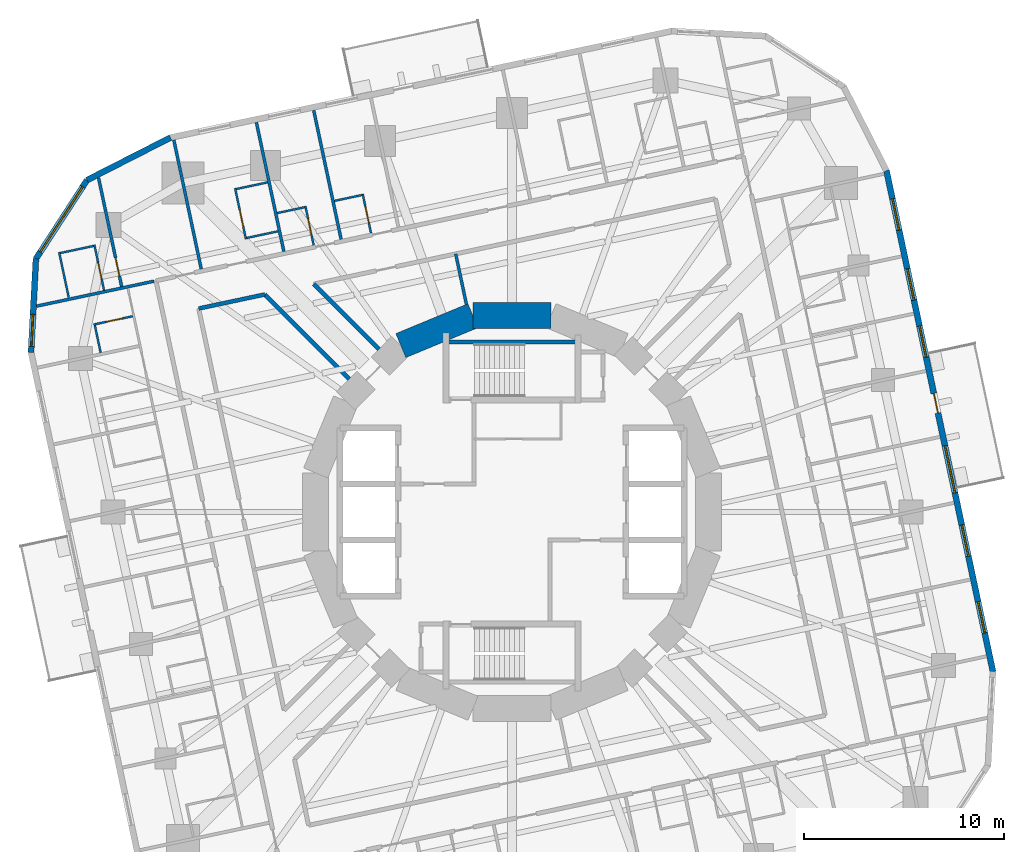
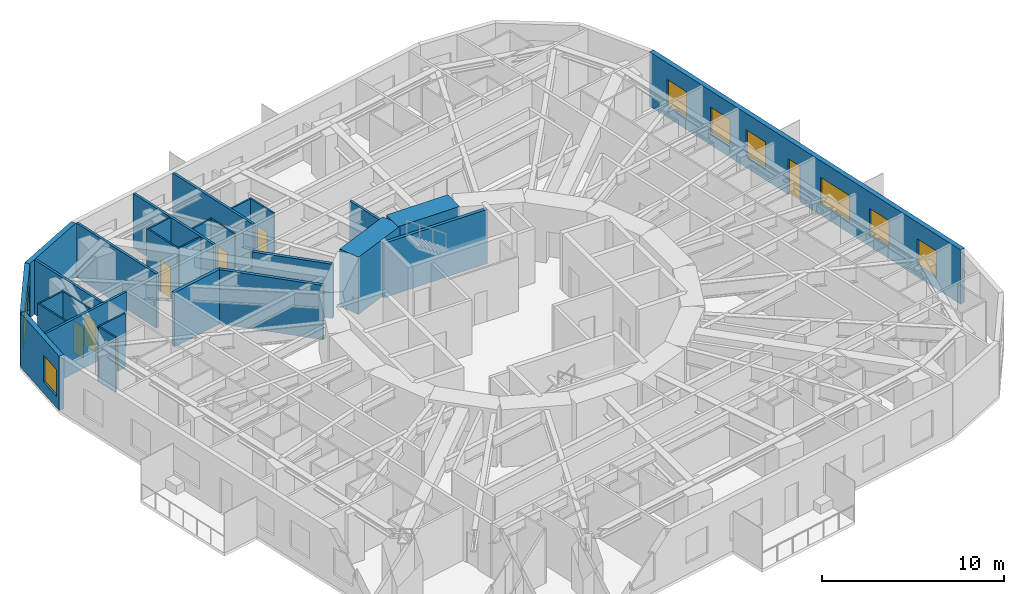
# One storey, part 9 of 13: 28 walls, 8 windows, 7 doors, 15 openings.
"""IFC4 building model written with IfcOpenShell, lengths in metres."""

from ifc_helpers import new_model, si_unit, direction, frame, frame_2d, origin, place, context, subcontext, project, spatial, rectangle, extrude, material, layer, layer_set, type_object, element, fill, save


model = new_model("IFC4")

# Units and contexts
model_context = context("Model", 3, precision=1e-05, world=origin(), true_north=direction((0.0, 1.0)))
body_context = subcontext(model_context, "Body", "Model", "MODEL_VIEW")
ifc_project = project(units=[si_unit("LENGTHUNIT", "METRE"), si_unit("AREAUNIT", "SQUARE_METRE"), si_unit("VOLUMEUNIT", "CUBIC_METRE"), si_unit("PLANEANGLEUNIT", "RADIAN"), si_unit("MASSUNIT", "GRAM", prefix="KILO")], contexts=[model_context])

# Site, building, storey
site_placement = place(None, origin())
site = spatial("IfcSite", under=ifc_project, at=site_placement, CompositionType="ELEMENT")
building_placement = place(site_placement, origin())
building = spatial("IfcBuilding", under=site, at=building_placement, Name="Nakasero Lantern House", CompositionType="ELEMENT")
storey_placement = place(building_placement, frame((0.0, 0.0, 131.949951171875)))
storey = spatial("IfcBuildingStorey", under=building, at=storey_placement, Name="L32", CompositionType="ELEMENT", Elevation=131.949951171875)

# Walls
ifc_material_1 = material(Name="Concrete C50/60", Category="concrete")
ifc_layer_1 = layer(ifc_material_1, 1.300048828125)
ifc_layer_set_1 = layer_set([ifc_layer_1], Name="Core wall 1300")
wall_type_1 = type_object("IfcWallType", Name="Core wall 1300", PredefinedType="SHEAR", material=ifc_layer_set_1)
for number, where, z_axis, x_axis, name in (
    (1, (1.950927734375, 9.807861328125, 0.0), (0.0, 0.0, 1.0), (-1.0, 0.0, 0.0), "Core wall L32 facet 4"),
    (2, (-1.950927734375, 9.807861328125, 0.0), (0.0, 0.0, 1.0), (-0.923876507187, -0.382690736062, 0.0), "Core wall L32 facet 5"),
):
    element("IfcWall", number, at=place(storey_placement, frame(where, z_axis=z_axis, x_axis=x_axis)), inside=storey, type_object=wall_type_1, Name=name, PredefinedType="SHEAR", context=body_context, shape_type="SweptSolid", body=[
        extrude(rectangle(XDim=3.90185546875, YDim=1.300048828125, at=frame_2d((1.950927734375, 0.0))), origin(), (0.0, 0.0, 1.0), 3.85009765625),
    ])
ifc_material_2 = material(Name="Blockwork", Category="masonry")
ifc_layer_2 = layer(ifc_material_2, 0.199951171875)
ifc_layer_set_2 = layer_set([ifc_layer_2], Name="Corridor wall 200")
wall_type_2 = type_object("IfcWallType", Name="Corridor wall 200", PredefinedType="PARTITIONING", material=ifc_layer_set_2)
wall_1_placement = place(storey_placement, frame((-12.35400390625, 10.868896484375, 0.0), z_axis=(0.0, 0.0, 1.0), x_axis=(-0.978145063506, -0.207923627178, 0.0)))
element("IfcWall", 3, at=wall_1_placement, inside=storey, type_object=wall_type_2, Name="Corridor wall L32 IW1-1", PredefinedType="PARTITIONING", context=body_context, shape_type="SweptSolid", body=[
    extrude(rectangle(XDim=3.375732421875, YDim=0.199951171875, at=frame_2d((1.68798828125, 0.0))), origin(), (0.0, 0.0, 1.0), 3.650146484375),
])
wall_2_placement = place(storey_placement, frame((-8.13720703125, 6.65234375, 0.0), z_axis=(0.0, 0.0, 1.0), x_axis=(-0.707127251225, 0.707086310555, 0.0)))
element("IfcWall", 4, at=wall_2_placement, inside=storey, type_object=wall_type_2, Name="Corridor wall L32 PS06a", PredefinedType="PARTITIONING", context=body_context, shape_type="SweptSolid", body=[
    extrude(rectangle(XDim=5.96337890625, YDim=0.199951171875, at=frame_2d((2.981689453125, 0.0))), origin(), (0.0, 0.0, 1.0), 3.650146484375),
])
wall_3_placement = place(storey_placement, frame((-6.65234375, 8.13720703125, 0.0), z_axis=(0.0, 0.0, 1.0), x_axis=(-0.707106781187, 0.707106781187, 0.0)))
element("IfcWall", 5, at=wall_3_placement, inside=storey, type_object=wall_type_2, Name="Corridor wall L32 PS06b", PredefinedType="PARTITIONING", context=body_context, shape_type="SweptSolid", body=[
    extrude(rectangle(XDim=4.599609375, YDim=0.199951171875, at=frame_2d((2.2998046875, 0.0))), origin(), (0.0, 0.0, 1.0), 3.650146484375),
])

# Wall, opening, door
ifc_material_3 = material(Name="Blockwork", Category="masonry")
ifc_layer_3 = layer(ifc_material_3, 0.10009765625)
ifc_layer_set_3 = layer_set([ifc_layer_3], Name="En-suite wall 100")
wall_type_3 = type_object("IfcWallType", Name="En-suite wall 100", PredefinedType="PARTITIONING", material=ifc_layer_set_3)
wall_4_placement = place(storey_placement, frame((-7.046142578125, 13.939697265625, 0.0), z_axis=(0.0, 0.0, 1.0), x_axis=(-0.207886494942, 0.978152955943, 0.0)))
wall_4 = element("IfcWall", 6, at=wall_4_placement, inside=storey, type_object=wall_type_3, Name="En-suite wall L32 ES1-05", PredefinedType="PARTITIONING", context=body_context, shape_type="SweptSolid", body=[
    extrude(rectangle(XDim=2.0, YDim=0.10009765625, at=frame_2d((1.0, 0.0))), origin(), (0.0, 0.0, 1.0), 3.650146484375),
])
opening_1_placement = place(wall_4_placement, frame((0.550048828125, 0.0, 0.0)))
opening_1 = element("IfcOpeningElement", 7, at=opening_1_placement, cuts=wall_4, Name="Opening D02", PredefinedType="OPENING", context=body_context, shape_type="SweptSolid", body=[
    extrude(rectangle(XDim=0.800048828125, YDim=2.10009765625, at=frame_2d((0.39990234375, 1.050048828125))), frame((0.0, 0.070068359375, 0.0), z_axis=(0.0, -1.0, 0.0), x_axis=(1.0, 0.0, 0.0)), (0.0, 0.0, 1.0), 0.14013671875),
])
ifc_material_4 = material(Name="Timber C24", Category="wood")
door_type_1 = type_object("IfcDoorType", Name="En-suite door 800", OperationType="SINGLE_SWING_RIGHT", PredefinedType="DOOR", material=ifc_material_4)
door_1_placement = place(opening_1_placement, origin())
door_1 = element("IfcDoor", 8, at=door_1_placement, inside=storey, type_object=door_type_1, Name="Door L32 DE1-05", OperationType="SINGLE_SWING_LEFT", OverallHeight=2.10009765625, OverallWidth=0.800048828125, PredefinedType="DOOR", context=body_context, shape_type="SweptSolid", body=[
    extrude(rectangle(XDim=0.800048828125, YDim=2.10009765625, at=frame_2d((0.39990234375, 1.050048828125))), frame((0.0, 0.02490234375, 0.0), z_axis=(0.0, -1.0, 0.0), x_axis=(1.0, 0.0, 0.0)), (0.0, 0.0, 1.0), 0.050048828125),
])
fill(opening_1, door_1)

# Wall
wall_5_placement = place(storey_placement, frame((-7.50048828125, 15.836669921875, 0.0), z_axis=(0.0, 0.0, 1.0), x_axis=(-0.978155748334, -0.207873355681, 0.0)))
element("IfcWall", 9, at=wall_5_placement, inside=storey, type_object=wall_type_3, Name="En-suite wall L32 EE1-05", PredefinedType="PARTITIONING", context=body_context, shape_type="SweptSolid", body=[
    extrude(rectangle(XDim=1.39990234375, YDim=0.10009765625, at=frame_2d((0.699951171875, 0.0))), origin(), (0.0, 0.0, 1.0), 3.650146484375),
])

# Wall, opening, door
wall_6_placement = place(storey_placement, frame((-9.908447265625, 13.331298828125, 0.0), z_axis=(0.0, 0.0, 1.0), x_axis=(-0.208003285743, 0.978128127149, 0.0)))
wall_6 = element("IfcWall", 10, at=wall_6_placement, inside=storey, type_object=wall_type_3, Name="En-suite wall L32 ES1-06", PredefinedType="PARTITIONING", context=body_context, shape_type="SweptSolid", body=[
    extrude(rectangle(XDim=2.0, YDim=0.10009765625, at=frame_2d((1.0, 0.0))), origin(), (0.0, 0.0, 1.0), 3.650146484375),
])
opening_2_placement = place(wall_6_placement, frame((0.550048828125, 0.0, 0.0)))
opening_2 = element("IfcOpeningElement", 11, at=opening_2_placement, cuts=wall_6, Name="Opening D02", PredefinedType="OPENING", context=body_context, shape_type="SweptSolid", body=[
    extrude(rectangle(XDim=0.800048828125, YDim=2.10009765625, at=frame_2d((0.39990234375, 1.050048828125))), frame((0.0, 0.070068359375, 0.0), z_axis=(0.0, -1.0, 0.0), x_axis=(1.0, 0.0, 0.0)), (0.0, 0.0, 1.0), 0.14013671875),
])
door_2_placement = place(opening_2_placement, origin())
door_2 = element("IfcDoor", 12, at=door_2_placement, inside=storey, type_object=door_type_1, Name="Door L32 DE1-06", OperationType="SINGLE_SWING_LEFT", OverallHeight=2.10009765625, OverallWidth=0.800048828125, PredefinedType="DOOR", context=body_context, shape_type="SweptSolid", body=[
    extrude(rectangle(XDim=0.800048828125, YDim=2.10009765625, at=frame_2d((0.39990234375, 1.050048828125))), frame((0.0, 0.02490234375, 0.0), z_axis=(0.0, -1.0, 0.0), x_axis=(1.0, 0.0, 0.0)), (0.0, 0.0, 1.0), 0.050048828125),
])
fill(opening_2, door_2)

# Wall
wall_7_placement = place(storey_placement, frame((-10.36279296875, 15.228271484375, 0.0), z_axis=(0.0, 0.0, 1.0), x_axis=(-0.978155748334, -0.207873355681, 0.0)))
element("IfcWall", 13, at=wall_7_placement, inside=storey, type_object=wall_type_3, Name="En-suite wall L32 EE1-06", PredefinedType="PARTITIONING", context=body_context, shape_type="SweptSolid", body=[
    extrude(rectangle(XDim=1.39990234375, YDim=0.10009765625, at=frame_2d((0.699951171875, 0.0))), origin(), (0.0, 0.0, 1.0), 3.650146484375),
])

# Wall, opening, door
wall_8_placement = place(storey_placement, frame((-13.29541015625, 13.633544921875, 0.0), z_axis=(0.0, 0.0, 1.0), x_axis=(-0.207893569688, 0.978151452323, 0.0)))
wall_8 = element("IfcWall", 14, at=wall_8_placement, inside=storey, type_object=wall_type_3, Name="En-suite wall L32 ES1-07", PredefinedType="PARTITIONING", context=body_context, shape_type="SweptSolid", body=[
    extrude(rectangle(XDim=2.60009765625, YDim=0.10009765625, at=frame_2d((1.300048828125, 0.0))), origin(), (0.0, 0.0, 1.0), 3.650146484375),
])
opening_3_placement = place(wall_8_placement, frame((0.64990234375, 0.0, 0.0)))
opening_3 = element("IfcOpeningElement", 15, at=opening_3_placement, cuts=wall_8, Name="Opening D02", PredefinedType="OPENING", context=body_context, shape_type="SweptSolid", body=[
    extrude(rectangle(XDim=0.800048828125, YDim=2.10009765625, at=frame_2d((0.39990234375, 1.050048828125))), frame((0.0, 0.070068359375, 0.0), z_axis=(0.0, -1.0, 0.0), x_axis=(1.0, 0.0, 0.0)), (0.0, 0.0, 1.0), 0.14013671875),
])
door_3_placement = place(opening_3_placement, origin())
door_3 = element("IfcDoor", 16, at=door_3_placement, inside=storey, type_object=door_type_1, Name="Door L32 DE1-07", OperationType="SINGLE_SWING_LEFT", OverallHeight=2.10009765625, OverallWidth=0.800048828125, PredefinedType="DOOR", context=body_context, shape_type="SweptSolid", body=[
    extrude(rectangle(XDim=0.800048828125, YDim=2.10009765625, at=frame_2d((0.39990234375, 1.050048828125))), frame((0.0, 0.02490234375, 0.0), z_axis=(0.0, -1.0, 0.0), x_axis=(1.0, 0.0, 0.0)), (0.0, 0.0, 1.0), 0.050048828125),
])
fill(opening_3, door_3)

# Walls
for number, where, z_axis, x_axis, name in (
    (17, (-12.211669921875, 16.470947265625, 0.0), (0.0, 0.0, 1.0), (-0.978162729042, -0.207840504985, 0.0), "En-suite wall L32 EE1-07"),
    (18, (-11.69189453125, 14.025634765625, 0.0), (0.0, 0.0, 1.0), (-0.978131695374, -0.207986505584, 0.0), "En-suite wall L32 EI1-07"),
):
    element("IfcWall", number, at=place(storey_placement, frame(where, z_axis=z_axis, x_axis=x_axis)), inside=storey, type_object=wall_type_3, Name=name, PredefinedType="PARTITIONING", context=body_context, shape_type="SweptSolid", body=[
        extrude(rectangle(XDim=1.599853515625, YDim=0.10009765625, at=frame_2d((0.7998046875, 0.0))), origin(), (0.0, 0.0, 1.0), 3.650146484375),
    ])

# Wall, opening, door
wall_9_placement = place(storey_placement, frame((-20.382568359375, 11.069091796875, 0.0), z_axis=(0.0, 0.0, 1.0), x_axis=(-0.207965047255, 0.978136257952, 0.0)))
wall_9 = element("IfcWall", 19, at=wall_9_placement, inside=storey, type_object=wall_type_3, Name="En-suite wall L32 ES1-08", PredefinedType="PARTITIONING", context=body_context, shape_type="SweptSolid", body=[
    extrude(rectangle(XDim=2.3349609375, YDim=0.10009765625, at=frame_2d((1.16748046875, 0.0))), origin(), (0.0, 0.0, 1.0), 3.650146484375),
])
opening_4_placement = place(wall_9_placement, frame((0.5849609375, 0.0, 0.0)))
opening_4 = element("IfcOpeningElement", 20, at=opening_4_placement, cuts=wall_9, Name="Opening D02", PredefinedType="OPENING", context=body_context, shape_type="SweptSolid", body=[
    extrude(rectangle(XDim=0.800048828125, YDim=2.10009765625, at=frame_2d((0.39990234375, 1.050048828125))), frame((0.0, 0.070068359375, 0.0), z_axis=(0.0, -1.0, 0.0), x_axis=(1.0, 0.0, 0.0)), (0.0, 0.0, 1.0), 0.14013671875),
])
door_4_placement = place(opening_4_placement, origin())
door_4 = element("IfcDoor", 21, at=door_4_placement, inside=storey, type_object=door_type_1, Name="Door L32 DE1-08", OperationType="SINGLE_SWING_LEFT", OverallHeight=2.10009765625, OverallWidth=0.800048828125, PredefinedType="DOOR", context=body_context, shape_type="SweptSolid", body=[
    extrude(rectangle(XDim=0.800048828125, YDim=2.10009765625, at=frame_2d((0.39990234375, 1.050048828125))), frame((0.0, 0.02490234375, 0.0), z_axis=(0.0, -1.0, 0.0), x_axis=(1.0, 0.0, 0.0)), (0.0, 0.0, 1.0), 0.050048828125),
])
fill(opening_4, door_4)

# Walls
wall_10_placement = place(storey_placement, frame((-20.906494140625, 13.293701171875, 0.0), z_axis=(0.0, 0.0, 1.0), x_axis=(-0.978168704767, -0.207812379357, 0.0)))
element("IfcWall", 22, at=wall_10_placement, inside=storey, type_object=wall_type_3, Name="En-suite wall L32 EE1-08", PredefinedType="PARTITIONING", context=body_context, shape_type="SweptSolid", body=[
    extrude(rectangle(XDim=1.699951171875, YDim=0.10009765625, at=frame_2d((0.85009765625, 0.0))), origin(), (0.0, 0.0, 1.0), 3.650146484375),
])
wall_11_placement = place(storey_placement, frame((-22.150634765625, 10.72900390625, 0.0), z_axis=(0.0, 0.0, 1.0), x_axis=(-0.207839712757, 0.978162897375, 0.0)))
element("IfcWall", 23, at=wall_11_placement, inside=storey, type_object=wall_type_3, Name="En-suite wall L32 EV1-08", PredefinedType="PARTITIONING", context=body_context, shape_type="SweptSolid", body=[
    extrude(rectangle(XDim=2.300048828125, YDim=0.10009765625, at=frame_2d((1.14990234375, 0.0))), origin(), (0.0, 0.0, 1.0), 3.650146484375),
])

# Wall, opening, door
wall_12_placement = place(storey_placement, frame((-18.947998046875, 9.783203125, 0.0), z_axis=(0.0, 0.0, 1.0), x_axis=(-0.978128127149, -0.208003285743, 0.0)))
wall_12 = element("IfcWall", 24, at=wall_12_placement, inside=storey, type_object=wall_type_3, Name="En-suite wall L32 ES2-00", PredefinedType="PARTITIONING", context=body_context, shape_type="SweptSolid", body=[
    extrude(rectangle(XDim=2.0, YDim=0.10009765625, at=frame_2d((1.0, 0.0))), origin(), (0.0, 0.0, 1.0), 3.650146484375),
])
opening_5_placement = place(wall_12_placement, frame((0.550048828125, 0.0, 0.0)))
opening_5 = element("IfcOpeningElement", 25, at=opening_5_placement, cuts=wall_12, Name="Opening D02", PredefinedType="OPENING", context=body_context, shape_type="SweptSolid", body=[
    extrude(rectangle(XDim=0.800048828125, YDim=2.10009765625, at=frame_2d((0.39990234375, 1.050048828125))), frame((0.0, 0.070068359375, 0.0), z_axis=(0.0, -1.0, 0.0), x_axis=(1.0, 0.0, 0.0)), (0.0, 0.0, 1.0), 0.14013671875),
])
door_5_placement = place(opening_5_placement, origin())
door_5 = element("IfcDoor", 26, at=door_5_placement, inside=storey, type_object=door_type_1, Name="Door L32 DE2-00", OperationType="SINGLE_SWING_LEFT", OverallHeight=2.10009765625, OverallWidth=0.800048828125, PredefinedType="DOOR", context=body_context, shape_type="SweptSolid", body=[
    extrude(rectangle(XDim=0.800048828125, YDim=2.10009765625, at=frame_2d((0.39990234375, 1.050048828125))), frame((0.0, 0.02490234375, 0.0), z_axis=(0.0, -1.0, 0.0), x_axis=(1.0, 0.0, 0.0)), (0.0, 0.0, 1.0), 0.050048828125),
])
fill(opening_5, door_5)

# Wall
wall_13_placement = place(storey_placement, frame((-20.844970703125, 9.328857421875, 0.0), z_axis=(0.0, 0.0, 1.0), x_axis=(0.207873355681, -0.978155748334, 0.0)))
element("IfcWall", 27, at=wall_13_placement, inside=storey, type_object=wall_type_3, Name="En-suite wall L32 EE2-00", PredefinedType="PARTITIONING", context=body_context, shape_type="SweptSolid", body=[
    extrude(rectangle(XDim=1.39990234375, YDim=0.10009765625, at=frame_2d((0.699951171875, 0.0))), origin(), (0.0, 0.0, 1.0), 3.650146484375),
])

# Wall, openings, door, windows
ifc_material_5 = material(Name="Aluminium rainscreen on blockwork", Category="masonry")
ifc_layer_4 = layer(ifc_material_5, 0.300048828125)
ifc_layer_set_4 = layer_set([ifc_layer_4], Name="Facade wall 300")
wall_type_4 = type_object("IfcWallType", Name="Facade wall 300", PredefinedType="SOLIDWALL", material=ifc_layer_set_4)
wall_14_placement = place(storey_placement, frame((24.03369140625, -7.9775390625, 0.0), z_axis=(0.0, 0.0, 1.0), x_axis=(-0.207909055127, 0.978148160964, 0.0)))
wall_14 = element("IfcWall", 28, at=wall_14_placement, inside=storey, type_object=wall_type_4, Name="Facade wall L32 FW0S", PredefinedType="SOLIDWALL", context=body_context, shape_type="SweptSolid", body=[
    extrude(rectangle(XDim=25.60009765625, YDim=0.300048828125, at=frame_2d((12.800048828125, 0.0))), origin(), (0.0, 0.0, 1.0), 3.650146484375),
])
opening_6_placement = place(wall_14_placement, frame((1.975830078125, 0.0, 0.75)))
opening_6 = element("IfcOpeningElement", 29, at=opening_6_placement, cuts=wall_14, Name="Opening W01", PredefinedType="OPENING", context=body_context, shape_type="SweptSolid", body=[
    extrude(rectangle(XDim=1.60009765625, YDim=1.800048828125, at=frame_2d((0.800048828125, 0.89990234375))), frame((0.0, 0.169921875, 0.0), z_axis=(0.0, -1.0, 0.0), x_axis=(1.0, 0.0, 0.0)), (0.0, 0.0, 1.0), 0.340087890625),
])
opening_7_placement = place(wall_14_placement, frame((5.8955078125, 0.0, 0.75)))
opening_7 = element("IfcOpeningElement", 30, at=opening_7_placement, cuts=wall_14, Name="Opening W01", PredefinedType="OPENING", context=body_context, shape_type="SweptSolid", body=[
    extrude(rectangle(XDim=1.60009765625, YDim=1.800048828125, at=frame_2d((0.800048828125, 0.89990234375))), frame((0.0, 0.169921875, 0.0), z_axis=(0.0, -1.0, 0.0), x_axis=(1.0, 0.0, 0.0)), (0.0, 0.0, 1.0), 0.340087890625),
])
opening_8_placement = place(wall_14_placement, frame((16.0556640625, 0.0, 0.75)))
opening_8 = element("IfcOpeningElement", 31, at=opening_8_placement, cuts=wall_14, Name="Opening W01", PredefinedType="OPENING", context=body_context, shape_type="SweptSolid", body=[
    extrude(rectangle(XDim=1.60009765625, YDim=1.800048828125, at=frame_2d((0.800048828125, 0.89990234375))), frame((0.0, 0.169921875, 0.0), z_axis=(0.0, -1.0, 0.0), x_axis=(1.0, 0.0, 0.0)), (0.0, 0.0, 1.0), 0.340087890625),
])
opening_9_placement = place(wall_14_placement, frame((18.982177734375, 0.0, 0.75)))
opening_9 = element("IfcOpeningElement", 32, at=opening_9_placement, cuts=wall_14, Name="Opening W01", PredefinedType="OPENING", context=body_context, shape_type="SweptSolid", body=[
    extrude(rectangle(XDim=1.60009765625, YDim=1.800048828125, at=frame_2d((0.800048828125, 0.89990234375))), frame((0.0, 0.169921875, 0.0), z_axis=(0.0, -1.0, 0.0), x_axis=(1.0, 0.0, 0.0)), (0.0, 0.0, 1.0), 0.340087890625),
])
opening_10_placement = place(wall_14_placement, frame((22.554443359375, 0.0, 0.75)))
opening_10 = element("IfcOpeningElement", 33, at=opening_10_placement, cuts=wall_14, Name="Opening W01", PredefinedType="OPENING", context=body_context, shape_type="SweptSolid", body=[
    extrude(rectangle(XDim=1.60009765625, YDim=1.800048828125, at=frame_2d((0.800048828125, 0.89990234375))), frame((0.0, 0.169921875, 0.0), z_axis=(0.0, -1.0, 0.0), x_axis=(1.0, 0.0, 0.0)), (0.0, 0.0, 1.0), 0.340087890625),
])
opening_11_placement = place(wall_14_placement, frame((9.139404296875, 0.0, 0.75)))
opening_11 = element("IfcOpeningElement", 34, at=opening_11_placement, cuts=wall_14, Name="Opening W03", PredefinedType="OPENING", context=body_context, shape_type="SweptSolid", body=[
    extrude(rectangle(XDim=2.39990234375, YDim=1.800048828125, at=frame_2d((1.199951171875, 0.89990234375))), frame((0.0, 0.169921875, 0.0), z_axis=(0.0, -1.0, 0.0), x_axis=(1.0, 0.0, 0.0)), (0.0, 0.0, 1.0), 0.340087890625),
])
opening_12_placement = place(wall_14_placement, frame((13.208251953125, 0.0, 0.0)))
opening_12 = element("IfcOpeningElement", 35, at=opening_12_placement, cuts=wall_14, Name="Opening D04", PredefinedType="OPENING", context=body_context, shape_type="SweptSolid", body=[
    extrude(rectangle(XDim=1.0, YDim=2.39990234375, at=frame_2d((0.5, 1.199951171875))), frame((0.0, 0.169921875, 0.0), z_axis=(0.0, -1.0, 0.0), x_axis=(1.0, 0.0, 0.0)), (0.0, 0.0, 1.0), 0.340087890625),
])
ifc_material_6 = material(Name="Aluminium 6063-T6 and glass", Category="aluminium")
door_type_2 = type_object("IfcDoorType", Name="Balcony door 1000x2400", OperationType="SINGLE_SWING_RIGHT", PredefinedType="DOOR", material=ifc_material_6)
door_6_placement = place(opening_12_placement, origin())
door_6 = element("IfcDoor", 36, at=door_6_placement, inside=storey, type_object=door_type_2, Name="Balcony door L32 DB0", OperationType="SINGLE_SWING_RIGHT", OverallHeight=2.39990234375, OverallWidth=1.0, PredefinedType="DOOR", context=body_context, shape_type="SweptSolid", body=[
    extrude(rectangle(XDim=1.0, YDim=2.39990234375, at=frame_2d((0.5, 1.199951171875))), frame((0.0, 0.02490234375, 0.0), z_axis=(0.0, -1.0, 0.0), x_axis=(1.0, 0.0, 0.0)), (0.0, 0.0, 1.0), 0.050048828125),
])
fill(opening_12, door_6)
ifc_material_7 = material(Name="Aluminium 6063-T6 and glass", Category="aluminium")
window_type_1 = type_object("IfcWindowType", Name="Bedroom window 1600x1800", PartitioningType="SINGLE_PANEL", PredefinedType="WINDOW", material=ifc_material_7)
window_1_placement = place(opening_6_placement, origin())
window_1 = element("IfcWindow", 37, at=window_1_placement, inside=storey, type_object=window_type_1, Name="Window L32 WN0-01", OverallHeight=1.800048828125, OverallWidth=1.60009765625, PartitioningType="SINGLE_PANEL", PredefinedType="WINDOW", context=body_context, shape_type="SweptSolid", body=[
    extrude(rectangle(XDim=1.60009765625, YDim=1.800048828125, at=frame_2d((0.800048828125, 0.89990234375))), frame((0.0, 0.030029296875, 0.0), z_axis=(0.0, -1.0, 0.0), x_axis=(1.0, 0.0, 0.0)), (0.0, 0.0, 1.0), 0.06005859375),
])
fill(opening_6, window_1)
window_2_placement = place(opening_7_placement, origin())
window_2 = element("IfcWindow", 38, at=window_2_placement, inside=storey, type_object=window_type_1, Name="Window L32 WN0-02", OverallHeight=1.800048828125, OverallWidth=1.60009765625, PartitioningType="SINGLE_PANEL", PredefinedType="WINDOW", context=body_context, shape_type="SweptSolid", body=[
    extrude(rectangle(XDim=1.60009765625, YDim=1.800048828125, at=frame_2d((0.800048828125, 0.89990234375))), frame((0.0, 0.030029296875, 0.0), z_axis=(0.0, -1.0, 0.0), x_axis=(1.0, 0.0, 0.0)), (0.0, 0.0, 1.0), 0.06005859375),
])
fill(opening_7, window_2)
window_3_placement = place(opening_8_placement, origin())
window_3 = element("IfcWindow", 39, at=window_3_placement, inside=storey, type_object=window_type_1, Name="Window L32 WN0-05", OverallHeight=1.800048828125, OverallWidth=1.60009765625, PartitioningType="SINGLE_PANEL", PredefinedType="WINDOW", context=body_context, shape_type="SweptSolid", body=[
    extrude(rectangle(XDim=1.60009765625, YDim=1.800048828125, at=frame_2d((0.800048828125, 0.89990234375))), frame((0.0, 0.030029296875, 0.0), z_axis=(0.0, -1.0, 0.0), x_axis=(1.0, 0.0, 0.0)), (0.0, 0.0, 1.0), 0.06005859375),
])
fill(opening_8, window_3)
window_4_placement = place(opening_9_placement, origin())
window_4 = element("IfcWindow", 40, at=window_4_placement, inside=storey, type_object=window_type_1, Name="Window L32 WN0-06", OverallHeight=1.800048828125, OverallWidth=1.60009765625, PartitioningType="SINGLE_PANEL", PredefinedType="WINDOW", context=body_context, shape_type="SweptSolid", body=[
    extrude(rectangle(XDim=1.60009765625, YDim=1.800048828125, at=frame_2d((0.800048828125, 0.89990234375))), frame((0.0, 0.030029296875, 0.0), z_axis=(0.0, -1.0, 0.0), x_axis=(1.0, 0.0, 0.0)), (0.0, 0.0, 1.0), 0.06005859375),
])
fill(opening_9, window_4)
window_5_placement = place(opening_10_placement, origin())
window_5 = element("IfcWindow", 41, at=window_5_placement, inside=storey, type_object=window_type_1, Name="Window L32 WN0-07", OverallHeight=1.800048828125, OverallWidth=1.60009765625, PartitioningType="SINGLE_PANEL", PredefinedType="WINDOW", context=body_context, shape_type="SweptSolid", body=[
    extrude(rectangle(XDim=1.60009765625, YDim=1.800048828125, at=frame_2d((0.800048828125, 0.89990234375))), frame((0.0, 0.030029296875, 0.0), z_axis=(0.0, -1.0, 0.0), x_axis=(1.0, 0.0, 0.0)), (0.0, 0.0, 1.0), 0.06005859375),
])
fill(opening_10, window_5)
ifc_material_8 = material(Name="Aluminium 6063-T6 and glass", Category="aluminium")
window_type_2 = type_object("IfcWindowType", Name="Lounge window 2400x1800", PartitioningType="SINGLE_PANEL", PredefinedType="WINDOW", material=ifc_material_8)
window_6_placement = place(opening_11_placement, origin())
window_6 = element("IfcWindow", 42, at=window_6_placement, inside=storey, type_object=window_type_2, Name="Window L32 WK0", OverallHeight=1.800048828125, OverallWidth=2.39990234375, PartitioningType="SINGLE_PANEL", PredefinedType="WINDOW", context=body_context, shape_type="SweptSolid", body=[
    extrude(rectangle(XDim=2.39990234375, YDim=1.800048828125, at=frame_2d((1.199951171875, 0.89990234375))), frame((0.0, 0.030029296875, 0.0), z_axis=(0.0, -1.0, 0.0), x_axis=(1.0, 0.0, 0.0)), (0.0, 0.0, 1.0), 0.06005859375),
])
fill(opening_11, window_6)

# Wall
wall_15_placement = place(storey_placement, frame((-17.063232421875, 18.711181640625, 0.0), z_axis=(0.0, 0.0, 1.0), x_axis=(-0.89101404178, -0.453975745332, 0.0)))
element("IfcWall", 43, at=wall_15_placement, inside=storey, type_object=wall_type_4, Name="Facade wall L32 FW1C1", PredefinedType="SOLIDWALL", context=body_context, shape_type="SweptSolid", body=[
    extrude(rectangle(XDim=4.6845703125, YDim=0.300048828125, at=frame_2d((2.34228515625, 0.0))), origin(), (0.0, 0.0, 1.0), 3.650146484375),
])

# Wall, opening, window
wall_16_placement = place(storey_placement, frame((-21.2373046875, 16.58447265625, 0.0), z_axis=(0.0, 0.0, 1.0), x_axis=(-0.544605442853, -0.838692381994, 0.0)))
wall_16 = element("IfcWall", 44, at=wall_16_placement, inside=storey, type_object=wall_type_4, Name="Facade wall L32 FW1C2", PredefinedType="SOLIDWALL", context=body_context, shape_type="SweptSolid", body=[
    extrude(rectangle(XDim=4.6845703125, YDim=0.300048828125, at=frame_2d((2.34228515625, 0.0))), origin(), (0.0, 0.0, 1.0), 3.650146484375),
])
opening_13_placement = place(wall_16_placement, frame((0.39990234375, 0.0, 0.75)))
opening_13 = element("IfcOpeningElement", 45, at=opening_13_placement, cuts=wall_16, Name="Opening W238", PredefinedType="OPENING", context=body_context, shape_type="SweptSolid", body=[
    extrude(rectangle(XDim=3.885009765625, YDim=1.800048828125, at=frame_2d((1.9423828125, 0.89990234375))), frame((0.0, 0.169921875, 0.0), z_axis=(0.0, -1.0, 0.0), x_axis=(1.0, 0.0, 0.0)), (0.0, 0.0, 1.0), 0.340087890625),
])
ifc_material_9 = material(Name="Aluminium 6063-T6 and glass", Category="aluminium")
window_type_3 = type_object("IfcWindowType", Name="Corner window 3885x1800", PartitioningType="SINGLE_PANEL", PredefinedType="WINDOW", material=ifc_material_9)
window_7_placement = place(opening_13_placement, origin())
window_7 = element("IfcWindow", 46, at=window_7_placement, inside=storey, type_object=window_type_3, Name="Window L32 WC1", OverallHeight=1.800048828125, OverallWidth=3.885009765625, PartitioningType="SINGLE_PANEL", PredefinedType="WINDOW", context=body_context, shape_type="SweptSolid", body=[
    extrude(rectangle(XDim=3.885009765625, YDim=1.800048828125, at=frame_2d((1.9423828125, 0.89990234375))), frame((0.0, 0.030029296875, 0.0), z_axis=(0.0, -1.0, 0.0), x_axis=(1.0, 0.0, 0.0)), (0.0, 0.0, 1.0), 0.06005859375),
])
fill(opening_13, window_7)

wall_17_placement = place(storey_placement, frame((-23.78857421875, 12.655517578125, 0.0), z_axis=(0.0, 0.0, 1.0), x_axis=(-0.052326317, -0.998630039879, 0.0)))
wall_17 = element("IfcWall", 47, at=wall_17_placement, inside=storey, type_object=wall_type_4, Name="Facade wall L32 FW1C3", PredefinedType="SOLIDWALL", context=body_context, shape_type="SweptSolid", body=[
    extrude(rectangle(XDim=4.684326171875, YDim=0.300048828125, at=frame_2d((2.34228515625, 0.0))), origin(), (0.0, 0.0, 1.0), 3.650146484375),
])
opening_14_placement = place(wall_17_placement, frame((2.784912109375, 0.0, 0.75)))
opening_14 = element("IfcOpeningElement", 48, at=opening_14_placement, cuts=wall_17, Name="Opening W01", PredefinedType="OPENING", context=body_context, shape_type="SweptSolid", body=[
    extrude(rectangle(XDim=1.60009765625, YDim=1.800048828125, at=frame_2d((0.800048828125, 0.89990234375))), frame((0.0, 0.169921875, 0.0), z_axis=(0.0, -1.0, 0.0), x_axis=(1.0, 0.0, 0.0)), (0.0, 0.0, 1.0), 0.340087890625),
])
window_8_placement = place(opening_14_placement, origin())
window_8 = element("IfcWindow", 49, at=window_8_placement, inside=storey, type_object=window_type_1, Name="Window L32 WN2-00", OverallHeight=1.800048828125, OverallWidth=1.60009765625, PartitioningType="SINGLE_PANEL", PredefinedType="WINDOW", context=body_context, shape_type="SweptSolid", body=[
    extrude(rectangle(XDim=1.60009765625, YDim=1.800048828125, at=frame_2d((0.800048828125, 0.89990234375))), frame((0.0, 0.030029296875, 0.0), z_axis=(0.0, -1.0, 0.0), x_axis=(1.0, 0.0, 0.0)), (0.0, 0.0, 1.0), 0.06005859375),
])
fill(opening_14, window_8)

# Walls
ifc_material_10 = material(Name="Blockwork", Category="masonry")
ifc_layer_5 = layer(ifc_material_10, 0.199951171875)
ifc_layer_set_5 = layer_set([ifc_layer_5], Name="Fire lobby wall 200")
wall_type_5 = type_object("IfcWallType", Name="Fire lobby wall 200", PredefinedType="PARTITIONING", material=ifc_layer_set_5)
wall_18_placement = place(storey_placement, frame((-3.300048828125, 8.5, 0.0), z_axis=(0.0, 0.0, 1.0), x_axis=(1.0, 0.0, 0.0)))
element("IfcWall", 50, at=wall_18_placement, inside=storey, type_object=wall_type_5, Name="Fire lobby wall L32 W-STN", PredefinedType="PARTITIONING", context=body_context, shape_type="SweptSolid", body=[
    extrude(rectangle(XDim=6.60009765625, YDim=0.199951171875, at=frame_2d((3.300048828125, 0.0))), origin(), (0.0, 0.0, 1.0), 3.650146484375),
])
ifc_material_11 = material(Name="Blockwork", Category="masonry")
ifc_layer_6 = layer(ifc_material_11, 0.14990234375)
ifc_layer_set_6 = layer_set([ifc_layer_6], Name="Party wall 150")
wall_type_6 = type_object("IfcWallType", Name="Party wall 150", PredefinedType="PARTITIONING", material=ifc_layer_set_6)
for number, where, z_axis, x_axis, name in (
    (51, (-8.537841796875, 13.62255859375, 0.0), (0.0, 0.0, 1.0), (-0.207889281984, 0.97815236361, 0.0), "Party wall L32 PW1-06"),
    (52, (-11.400146484375, 13.01416015625, 0.0), (0.0, 0.0, 1.0), (-0.207924673876, 0.978144841009, 0.0), "Party wall L32 PW1-07"),
    (53, (-15.526123046875, 12.13720703125, 0.0), (0.0, 0.0, 1.0), (-0.207924673876, 0.978144841009, 0.0), "Party wall L32 PW1-08"),
):
    element("IfcWall", number, at=place(storey_placement, frame(where, z_axis=z_axis, x_axis=x_axis)), inside=storey, type_object=wall_type_6, Name=name, PredefinedType="PARTITIONING", context=body_context, shape_type="SweptSolid", body=[
        extrude(rectangle(XDim=6.60009765625, YDim=0.14990234375, at=frame_2d((3.300048828125, 0.0))), origin(), (0.0, 0.0, 1.0), 3.650146484375),
    ])

# Wall, opening, door
wall_19_placement = place(storey_placement, frame((-19.502197265625, 11.256103515625, 0.0), z_axis=(0.0, 0.0, 1.0), x_axis=(-0.207936339891, 0.978142361087, 0.0)))
wall_19 = element("IfcWall", 54, at=wall_19_placement, inside=storey, type_object=wall_type_6, Name="Party wall L32 PC1", PredefinedType="PARTITIONING", context=body_context, shape_type="SweptSolid", body=[
    extrude(rectangle(XDim=5.570068359375, YDim=0.14990234375, at=frame_2d((2.78515625, 0.0))), origin(), (0.0, 0.0, 1.0), 3.650146484375),
])
opening_15_placement = place(wall_19_placement, frame((0.534912109375, 0.0, 0.0)))
opening_15 = element("IfcOpeningElement", 55, at=opening_15_placement, cuts=wall_19, Name="Opening D01", PredefinedType="OPENING", context=body_context, shape_type="SweptSolid", body=[
    extrude(rectangle(XDim=0.949951171875, YDim=2.10009765625, at=frame_2d((0.47509765625, 1.050048828125))), frame((0.0, 0.094970703125, 0.0), z_axis=(0.0, -1.0, 0.0), x_axis=(1.0, 0.0, 0.0)), (0.0, 0.0, 1.0), 0.18994140625),
])
ifc_material_12 = material(Name="Timber C24", Category="wood")
door_type_3 = type_object("IfcDoorType", Name="Bedroom door FD30S 950", OperationType="SINGLE_SWING_LEFT", PredefinedType="DOOR", material=ifc_material_12)
door_7_placement = place(opening_15_placement, origin())
door_7 = element("IfcDoor", 56, at=door_7_placement, inside=storey, type_object=door_type_3, Name="Door L32 DC1", OperationType="SINGLE_SWING_LEFT", OverallHeight=2.10009765625, OverallWidth=0.949951171875, PredefinedType="DOOR", context=body_context, shape_type="SweptSolid", body=[
    extrude(rectangle(XDim=0.949951171875, YDim=2.10009765625, at=frame_2d((0.47509765625, 1.050048828125))), frame((0.0, 0.02490234375, 0.0), z_axis=(0.0, -1.0, 0.0), x_axis=(1.0, 0.0, 0.0)), (0.0, 0.0, 1.0), 0.050048828125),
])
fill(opening_15, door_7)

# Walls
wall_20_placement = place(storey_placement, frame((-17.888671875, 11.53271484375, 0.0), z_axis=(0.0, 0.0, 1.0), x_axis=(-0.978152955943, -0.207886494942, 0.0)))
element("IfcWall", 57, at=wall_20_placement, inside=storey, type_object=wall_type_6, Name="Party wall L32 PW2-00", PredefinedType="PARTITIONING", context=body_context, shape_type="SweptSolid", body=[
    extrude(rectangle(XDim=6.0, YDim=0.14990234375, at=frame_2d((3.0, 0.0))), origin(), (0.0, 0.0, 1.0), 3.650146484375),
])
wall_21_placement = place(storey_placement, frame((-2.81298828125, 12.89697265625, 0.0), z_axis=(0.0, 0.0, 1.0), x_axis=(0.20794373203, -0.978140789615, 0.0)))
element("IfcWall", 58, at=wall_21_placement, inside=storey, type_object=wall_type_6, Name="Party wall L32 IM1", PredefinedType="PARTITIONING", context=body_context, shape_type="SweptSolid", body=[
    extrude(rectangle(XDim=2.5771484375, YDim=0.14990234375, at=frame_2d((1.28857421875, 0.0))), origin(), (0.0, 0.0, 1.0), 3.650146484375),
])

save(model, "model.ifc")
